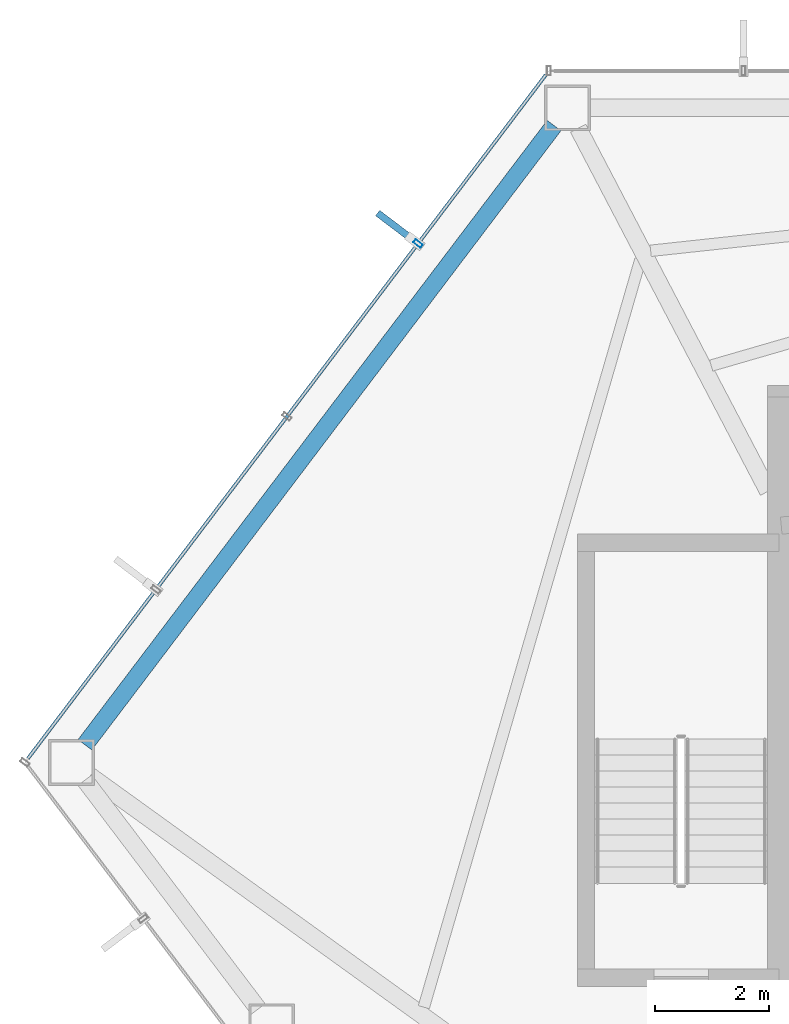
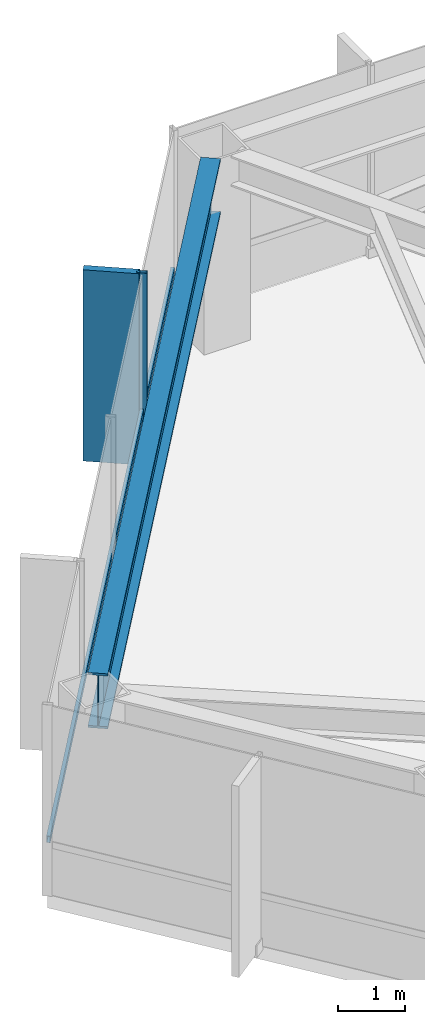
# One storey, part 12 of 29: 3 members, 1 beam, 1 element without a shape of its own.
"""IFC4 building model written with IfcOpenShell, lengths in metres."""

from ifc_helpers import new_model, si_unit, direction, frame, origin, origin_2d, place, context, subcontext, project, spatial, rectangle, hollow_rectangle, i_section, extrude, material, layer, layer_set, material_profile, profile_set, type_object, element, aggregate, save


model = new_model("IFC4")

# Units and contexts
model_context = context("Model", 3, precision=1e-05, world=origin(), true_north=direction((0.0, 1.0)))
body_context = subcontext(model_context, "Body", "Model", "MODEL_VIEW")
ifc_project = project(units=[si_unit("LENGTHUNIT", "METRE"), si_unit("AREAUNIT", "SQUARE_METRE"), si_unit("VOLUMEUNIT", "CUBIC_METRE"), si_unit("PLANEANGLEUNIT", "RADIAN"), si_unit("MASSUNIT", "GRAM", prefix="KILO")], contexts=[model_context])

# Site, building, storey
site_placement = place(None, origin())
site = spatial("IfcSite", under=ifc_project, at=site_placement, CompositionType="ELEMENT")
building_placement = place(site_placement, origin())
building = spatial("IfcBuilding", under=site, at=building_placement, Name="Zarrinselat Tower", CompositionType="ELEMENT")
storey_placement = place(building_placement, frame((0.0, 0.0, 138.3798828125)))
storey = spatial("IfcBuildingStorey", under=building, at=storey_placement, Name="L33", CompositionType="ELEMENT", Elevation=138.3798828125)

# Beam
ifc_material_1 = material(Name="Steel S460M", Category="steel")
ifc_material_profile_1 = material_profile(ifc_material_1, i_section(OverallWidth=0.302001953125, OverallDepth=1.008056640625, WebThickness=0.02099609375, FlangeThickness=0.0400390625, at=origin_2d()), Name="HEM 1000")
ifc_profile_set_1 = profile_set([ifc_material_profile_1], Name="Steel S460M")
beam_type = type_object("IfcBeamType", Name="BM-HEM1000", PredefinedType="BEAM", material=ifc_profile_set_1)
beam_placement = place(storey_placement, frame((16.472412109375, 37.36962890625, 2.99609375), z_axis=(0.603857341751, 0.79709241046, 0.0), x_axis=(-0.79709241046, 0.603857341751, 0.0)))
element("IfcBeam", 1, at=beam_placement, inside=storey, type_object=beam_type, Name="L33 Perimeter Spandrel Girder SP05", PredefinedType="BEAM", context=body_context, shape_type="SweptSolid", body=[
    extrude(i_section(OverallWidth=0.302001953125, OverallDepth=1.008056640625, WebThickness=0.02099609375, FlangeThickness=0.0400390625, at=origin_2d()), origin(), (0.0, 0.0, 1.0), 13.57568359375),
])

# Curtain wall, members
ifc_material_2 = material(Name="Extruded Aluminium Alloy EN AW-6063 T6", Category="aluminium")
ifc_layer = layer(ifc_material_2, 0.175048828125)
ifc_layer_set = layer_set([ifc_layer], Name="Extruded Aluminium Alloy EN AW-6063 T6")
curtain_wall_type = type_object("IfcCurtainWallType", Name="CWS-HTL", PredefinedType="NOTDEFINED", material=ifc_layer_set)
curtain_wall_placement = place(storey_placement, origin())
curtain_wall = element("IfcCurtainWall", 2, at=curtain_wall_placement, inside=storey, type_object=curtain_wall_type, Name="L33 Unitised Curtain Wall CW-L33-E02", PredefinedType="NOTDEFINED")
ifc_material_3 = material(Name="Extruded Aluminium Alloy EN AW-6063 T6", Category="aluminium")
ifc_material_profile_2 = material_profile(ifc_material_3, hollow_rectangle(XDim=0.070068359375, YDim=0.159912109375, WallThickness=0.00390625, at=origin_2d()), Name="RHS 160x70x4")
ifc_profile_set_2 = profile_set([ifc_material_profile_2], Name="Extruded Aluminium Alloy EN AW-6063 T6")
member_type_1 = type_object("IfcMemberType", Name="MEM-CW-MUL2", PredefinedType="MULLION", material=ifc_profile_set_2)
member_1_placement = place(storey_placement, frame((22.291748046875, 46.127685546875, 0.0), z_axis=(0.0, 0.0, 1.0), x_axis=(-0.603859211262, -0.797090994162, 0.0)))
member_1 = element("IfcMember", 3, at=member_1_placement, type_object=member_type_1, Name="CW-L33-E02 Mullion 1", PredefinedType="MULLION", context=body_context, shape_type="SweptSolid", body=[
    extrude(hollow_rectangle(XDim=0.070068359375, YDim=0.159912109375, WallThickness=0.00390625, at=origin_2d()), origin(), (0.0, 0.0, 1.0), 3.5),
])
ifc_material_4 = material(Name="Extruded Aluminium Alloy EN AW-6063 T6", Category="aluminium")
ifc_material_profile_3 = material_profile(ifc_material_4, hollow_rectangle(XDim=0.06005859375, YDim=0.1201171875, WallThickness=0.00390625, at=origin_2d()), Name="RHS 120x60x4")
ifc_profile_set_3 = profile_set([ifc_material_profile_3], Name="Extruded Aluminium Alloy EN AW-6063 T6")
member_type_2 = type_object("IfcMemberType", Name="MEM-CW-TRN2", PredefinedType="USERDEFINED", material=ifc_profile_set_3)
member_2_placement = place(storey_placement, frame((24.527099609375, 49.078369140625, 0.9501953125), z_axis=(-0.603860824289, -0.797089772164, 0.0), x_axis=(0.797089772164, -0.603860824289, 0.0)))
member_2 = element("IfcMember", 4, at=member_2_placement, type_object=member_type_2, Name="CW-L33-E02 Transom 1", ObjectType="TRANSOM", PredefinedType="USERDEFINED", context=body_context, shape_type="SweptSolid", body=[
    extrude(hollow_rectangle(XDim=0.06005859375, YDim=0.1201171875, WallThickness=0.00390625, at=origin_2d()), origin(), (0.0, 0.0, 1.0), 14.9873046875),
])
ifc_material_5 = material(Name="Honed Cream Travertine Stone", Category="masonry")
ifc_material_profile_4 = material_profile(ifc_material_5, rectangle(XDim=0.1201171875, YDim=0.85009765625, at=origin_2d()), Name="FIN 850x120")
ifc_profile_set_4 = profile_set([ifc_material_profile_4], Name="Honed Cream Travertine Stone")
member_type_3 = type_object("IfcMemberType", Name="MEM-STONE-FIN", PredefinedType="USERDEFINED", material=ifc_profile_set_4)
member_3_placement = place(storey_placement, frame((21.925048828125, 46.405517578125, 0.0), z_axis=(0.0, 0.0, 1.0), x_axis=(0.603859211262, 0.797090994162, 0.0)))
member_3 = element("IfcMember", 5, at=member_3_placement, type_object=member_type_3, Name="L33 Stone Shading Fin CW-L33-E02-01", ObjectType="FIN", PredefinedType="USERDEFINED", context=body_context, shape_type="SweptSolid", body=[
    extrude(rectangle(XDim=0.1201171875, YDim=0.85009765625, at=origin_2d()), origin(), (0.0, 0.0, 1.0), 3.5),
])
aggregate(curtain_wall, [member_1, member_3, member_2])

save(model, "model.ifc")
